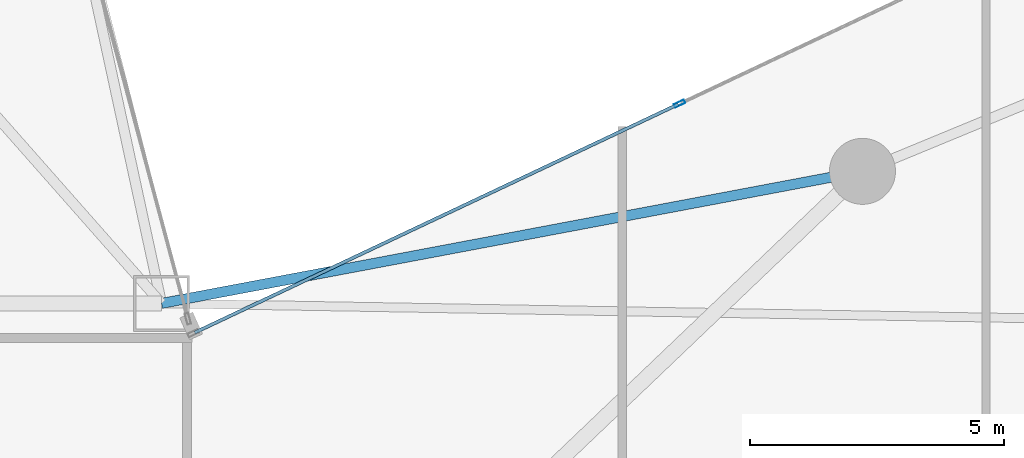
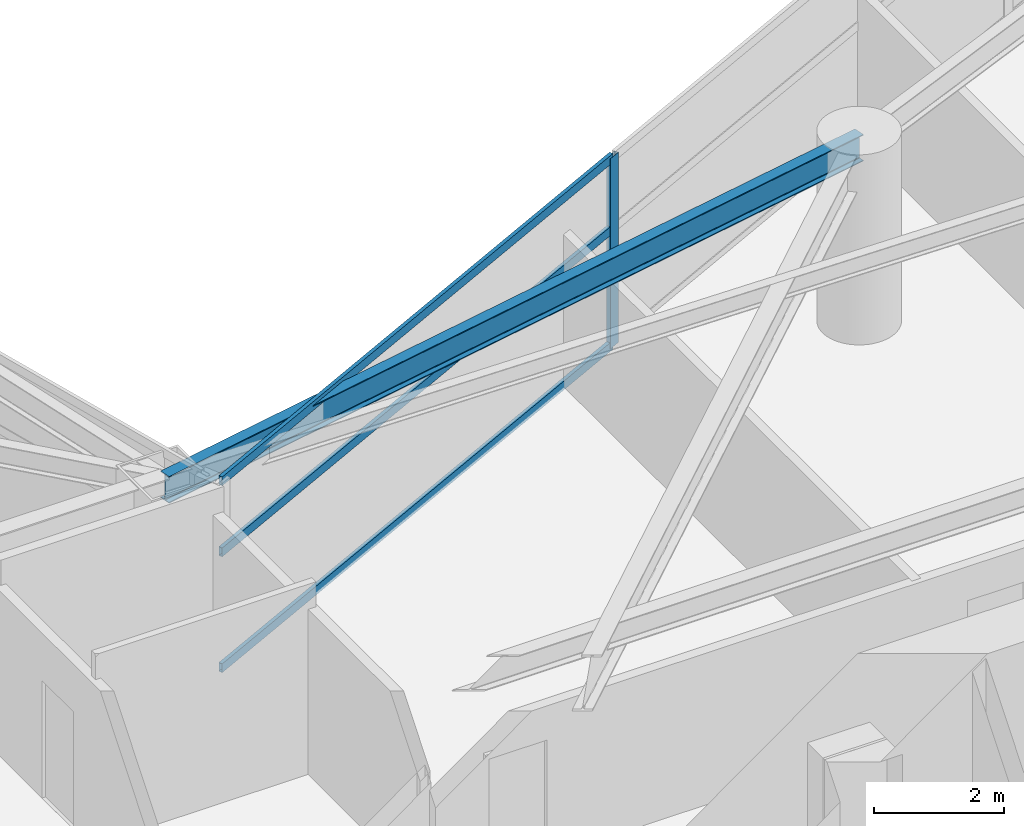
# One storey, part 11 of 29: 4 members, 1 beam, 1 element without a shape of its own.
"""IFC4 building model written with IfcOpenShell, lengths in metres."""

from ifc_helpers import new_model, si_unit, direction, frame, origin, origin_2d, place, context, subcontext, project, spatial, hollow_rectangle, i_section, extrude, material, layer, layer_set, material_profile, profile_set, type_object, element, aggregate, save


model = new_model("IFC4")

# Units and contexts
model_context = context("Model", 3, precision=1e-05, world=origin(), true_north=direction((0.0, 1.0)))
body_context = subcontext(model_context, "Body", "Model", "MODEL_VIEW")
ifc_project = project(units=[si_unit("LENGTHUNIT", "METRE"), si_unit("AREAUNIT", "SQUARE_METRE"), si_unit("VOLUMEUNIT", "CUBIC_METRE"), si_unit("PLANEANGLEUNIT", "RADIAN"), si_unit("MASSUNIT", "GRAM", prefix="KILO")], contexts=[model_context])

# Site, building, storey
site_placement = place(None, origin())
site = spatial("IfcSite", under=ifc_project, at=site_placement, CompositionType="ELEMENT")
building_placement = place(site_placement, origin())
building = spatial("IfcBuilding", under=site, at=building_placement, Name="Calvorn Quay Hotel", CompositionType="ELEMENT")
storey_placement = place(building_placement, frame((0.0, 0.0, 34.60009765625)))
storey = spatial("IfcBuildingStorey", under=building, at=storey_placement, Name="L07", CompositionType="ELEMENT", Elevation=34.60009765625)

# Beam
ifc_material_1 = material(Name="Steel Q355B", Category="steel")
ifc_material_profile_1 = material_profile(ifc_material_1, i_section(OverallWidth=0.199951171875, OverallDepth=0.5, WebThickness=0.010009765625, FlangeThickness=0.01611328125, FilletRadius=0.01611328125, at=origin_2d()), Name="HN500x200x10x16")
ifc_profile_set_1 = profile_set([ifc_material_profile_1], Name="Steel Q355B")
beam_type = type_object("IfcBeamType", Name="BM-SPANDREL-Z1", PredefinedType="SPANDREL", material=ifc_profile_set_1)
beam_placement = place(storey_placement, frame((34.800048828125, 27.60009765625, 3.289794921875), z_axis=(-0.982709432406, -0.185154452988, 0.0), x_axis=(0.185154452988, -0.982709432406, 0.0)))
element("IfcBeam", 1, at=beam_placement, inside=storey, type_object=beam_type, Name="Beam BSP-L07-E5", PredefinedType="SPANDREL", context=body_context, shape_type="SweptSolid", body=[
    extrude(i_section(OverallWidth=0.199951171875, OverallDepth=0.5, WebThickness=0.010009765625, FlangeThickness=0.01611328125, FilletRadius=0.01611328125, at=origin_2d()), origin(), (0.0, 0.0, 1.0), 14.04296875),
])

# Curtain wall, members
ifc_material_2 = material(Name="Pale Anodised Aluminium and Low-E Glass", Category="aluminium")
ifc_layer = layer(ifc_material_2, 0.219970703125)
ifc_layer_set = layer_set([ifc_layer], Name="CW-SYS-Z1")
curtain_wall_type = type_object("IfcCurtainWallType", Name="CW-SYS-Z1", PredefinedType="NOTDEFINED", material=ifc_layer_set)
curtain_wall_placement = place(storey_placement, origin())
curtain_wall = element("IfcCurtainWall", 2, at=curtain_wall_placement, inside=storey, type_object=curtain_wall_type, Name="Inner Court Curtain Wall L07-NE1", PredefinedType="NOTDEFINED")
ifc_material_3 = material(Name="Pale Anodised Aluminium 6063-T6", Category="aluminium")
ifc_material_profile_2 = material_profile(ifc_material_3, hollow_rectangle(XDim=0.074951171875, YDim=0.219970703125, WallThickness=0.00439453125, at=origin_2d()), Name="ALU-M220x75x4.5")
ifc_profile_set_2 = profile_set([ifc_material_profile_2], Name="Pale Anodised Aluminium 6063-T6")
member_type_1 = type_object("IfcMemberType", Name="CW-SYS-Z1-MUL", PredefinedType="MULLION", material=ifc_profile_set_2)
member_1_placement = place(storey_placement, frame((31.199951171875, 28.933349609375, 0.0), z_axis=(0.0, 0.0, 1.0), x_axis=(0.427006305415, -0.904248646743, 0.0)))
member_1 = element("IfcMember", 3, at=member_1_placement, type_object=member_type_1, Name="CW-L07-NE1 mullion 3", PredefinedType="MULLION", context=body_context, shape_type="SweptSolid", body=[
    extrude(hollow_rectangle(XDim=0.074951171875, YDim=0.219970703125, WallThickness=0.00439453125, at=origin_2d()), origin(), (0.0, 0.0, 1.0), 3.559814453125),
])
ifc_material_4 = material(Name="Pale Anodised Aluminium 6063-T6", Category="aluminium")
ifc_material_profile_3 = material_profile(ifc_material_4, hollow_rectangle(XDim=0.06494140625, YDim=0.1650390625, WallThickness=0.00341796875, at=origin_2d()), Name="ALU-T165x65x3.5")
ifc_profile_set_3 = profile_set([ifc_material_profile_3], Name="Pale Anodised Aluminium 6063-T6")
member_type_2 = type_object("IfcMemberType", Name="CW-SYS-Z1-TRN", PredefinedType="USERDEFINED", material=ifc_profile_set_3)
member_2_placement = place(storey_placement, frame((31.1728515625, 28.92041015625, 0.02978515625), z_axis=(-0.904248646746, -0.427006305408, 0.0), x_axis=(0.427006305408, -0.904248646746, 0.0)))
member_2 = element("IfcMember", 4, at=member_2_placement, type_object=member_type_2, Name="CW-L07-NE1 transom 3.1", ObjectType="TRANSOM", PredefinedType="USERDEFINED", context=body_context, shape_type="SweptSolid", body=[
    extrude(hollow_rectangle(XDim=0.06494140625, YDim=0.1650390625, WallThickness=0.00341796875, at=origin_2d()), origin(), (0.0, 0.0, 1.0), 10.5263671875),
])
member_3_placement = place(storey_placement, frame((31.1728515625, 28.92041015625, 2.199951171875), z_axis=(-0.904248646746, -0.427006305408, 0.0), x_axis=(0.427006305408, -0.904248646746, 0.0)))
member_3 = element("IfcMember", 5, at=member_3_placement, type_object=member_type_2, Name="CW-L07-NE1 transom 3.2", ObjectType="TRANSOM", PredefinedType="USERDEFINED", context=body_context, shape_type="SweptSolid", body=[
    extrude(hollow_rectangle(XDim=0.06494140625, YDim=0.1650390625, WallThickness=0.00341796875, at=origin_2d()), origin(), (0.0, 0.0, 1.0), 10.5263671875),
])
member_4_placement = place(storey_placement, frame((31.1728515625, 28.92041015625, 3.52978515625), z_axis=(-0.904248646746, -0.427006305408, 0.0), x_axis=(0.427006305408, -0.904248646746, 0.0)))
member_4 = element("IfcMember", 6, at=member_4_placement, type_object=member_type_2, Name="CW-L07-NE1 transom 3.3", ObjectType="TRANSOM", PredefinedType="USERDEFINED", context=body_context, shape_type="SweptSolid", body=[
    extrude(hollow_rectangle(XDim=0.06494140625, YDim=0.1650390625, WallThickness=0.00341796875, at=origin_2d()), origin(), (0.0, 0.0, 1.0), 10.5263671875),
])
aggregate(curtain_wall, [member_1, member_2, member_3, member_4])

save(model, "model.ifc")
